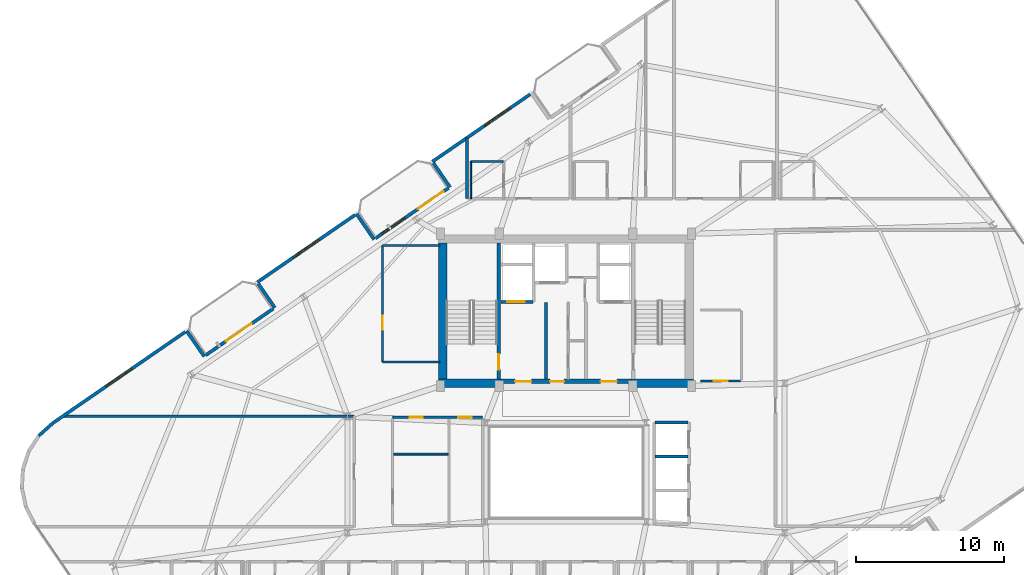
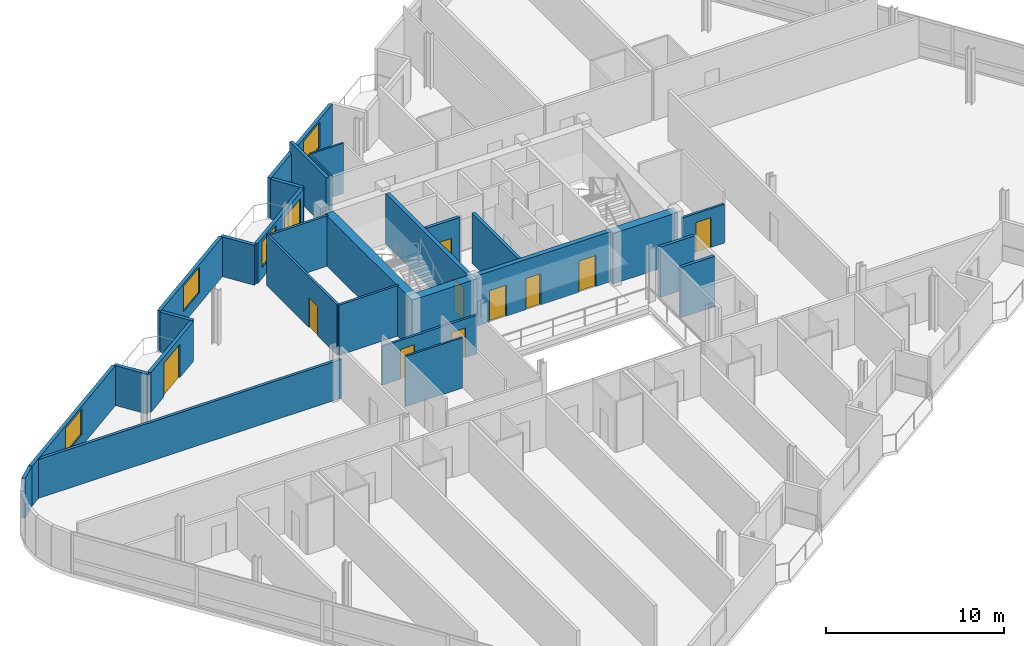
# One storey, part 16 of 22: 29 walls, 11 doors, 4 windows, 15 openings.
"""IFC4 building model written with IfcOpenShell, lengths in metres."""

from ifc_helpers import new_model, si_unit, direction, frame, frame_2d, origin, place, context, subcontext, project, spatial, rectangle, extrude, material, layer, layer_set, type_object, element, fill, save


model = new_model("IFC4")

# Units and contexts
model_context = context("Model", 3, precision=1e-05, world=origin(), true_north=direction((0.0, 1.0)))
body_context = subcontext(model_context, "Body", "Model", "MODEL_VIEW")
ifc_project = project(units=[si_unit("LENGTHUNIT", "METRE"), si_unit("AREAUNIT", "SQUARE_METRE"), si_unit("VOLUMEUNIT", "CUBIC_METRE"), si_unit("PLANEANGLEUNIT", "RADIAN"), si_unit("MASSUNIT", "GRAM", prefix="KILO")], contexts=[model_context])

# Site, building, storey
site_placement = place(None, origin())
site = spatial("IfcSite", under=ifc_project, at=site_placement, CompositionType="ELEMENT")
building_placement = place(site_placement, origin())
building = spatial("IfcBuilding", under=site, at=building_placement, Name="Varnelok Gate Tower", CompositionType="ELEMENT")
storey_placement = place(building_placement, frame((0.0, 0.0, 280.39990234375)))
storey = spatial("IfcBuildingStorey", under=building, at=storey_placement, Name="L72", CompositionType="ELEMENT", Elevation=280.39990234375)

# Wall, opening, door
ifc_material_1 = material(Name="Concrete C45/55", Category="concrete")
ifc_layer_1 = layer(ifc_material_1, 0.219970703125)
ifc_layer_set_1 = layer_set([ifc_layer_1], Name="Concrete C45/55")
wall_type_1 = type_object("IfcWallType", Name="EW-BALC-220", PredefinedType="SOLIDWALL", material=ifc_layer_set_1)
wall_1_placement = place(storey_placement, frame((14.794921875, 30.81982421875, 0.0), z_axis=(0.0, 0.0, 1.0), x_axis=(0.823541290762, 0.567256328665, 0.0)))
wall_1 = element("IfcWall", 1, at=wall_1_placement, inside=storey, type_object=wall_type_1, Name="L72 North Terrace Envelope Wall 4", PredefinedType="SOLIDWALL", context=body_context, shape_type="SweptSolid", body=[
    extrude(rectangle(XDim=5.567138671875, YDim=0.219970703125, at=frame_2d((2.78369140625, 0.0))), origin(), (0.0, 0.0, 1.0), 2.72998046875),
])
opening_1_placement = place(wall_1_placement, frame((1.68017578125, 0.0, 0.0)))
opening_1 = element("IfcOpeningElement", 2, at=opening_1_placement, cuts=wall_1, Name="Opening BD-2", PredefinedType="OPENING", context=body_context, shape_type="SweptSolid", body=[
    extrude(rectangle(XDim=2.10009765625, YDim=2.300048828125, at=frame_2d((1.050048828125, 1.14990234375))), frame((0.0, 0.119873046875, 0.0), z_axis=(0.0, -1.0, 0.0), x_axis=(1.0, 0.0, 0.0)), (0.0, 0.0, 1.0), 0.239990234375),
])
ifc_material_2 = material(Name="Anodized Aluminum Alloy 6063-T6", Category="aluminium")
door_type_1 = type_object("IfcDoorType", Name="DR-EXT-SLID2100", OperationType="SLIDING_TO_LEFT", PredefinedType="DOOR", material=ifc_material_2)
door_1_placement = place(opening_1_placement, origin())
door_1 = element("IfcDoor", 3, at=door_1_placement, inside=storey, type_object=door_type_1, Name="L72 North Balcony Glazed Door 4", OperationType="SLIDING_TO_LEFT", OverallHeight=2.300048828125, OverallWidth=2.10009765625, PredefinedType="DOOR", context=body_context, shape_type="SweptSolid", body=[
    extrude(rectangle(XDim=2.10009765625, YDim=2.300048828125, at=frame_2d((1.050048828125, 1.14990234375))), frame((0.0, 0.02490234375, 0.0), z_axis=(0.0, -1.0, 0.0), x_axis=(1.0, 0.0, 0.0)), (0.0, 0.0, 1.0), 0.050048828125),
])
fill(opening_1, door_1)

# Wall, openings, door, window
wall_2_placement = place(storey_placement, frame((26.29736328125, 38.742919921875, 0.0), z_axis=(0.0, 0.0, 1.0), x_axis=(0.823534636215, 0.567265989598, 0.0)))
wall_2 = element("IfcWall", 4, at=wall_2_placement, inside=storey, type_object=wall_type_1, Name="L72 North Terrace Envelope Wall 5", PredefinedType="SOLIDWALL", context=body_context, shape_type="SweptSolid", body=[
    extrude(rectangle(XDim=6.0, YDim=0.219970703125, at=frame_2d((3.0, 0.0))), origin(), (0.0, 0.0, 1.0), 2.72998046875),
])
opening_2_placement = place(wall_2_placement, frame((3.5, 0.0, 0.0)))
opening_2 = element("IfcOpeningElement", 5, at=opening_2_placement, cuts=wall_2, Name="Opening BD-2", PredefinedType="OPENING", context=body_context, shape_type="SweptSolid", body=[
    extrude(rectangle(XDim=2.10009765625, YDim=2.300048828125, at=frame_2d((1.050048828125, 1.14990234375))), frame((0.0, 0.119873046875, 0.0), z_axis=(0.0, -1.0, 0.0), x_axis=(1.0, 0.0, 0.0)), (0.0, 0.0, 1.0), 0.239990234375),
])
opening_3_placement = place(wall_2_placement, frame((0.550048828125, 0.0, 0.75)))
opening_3 = element("IfcOpeningElement", 6, at=opening_3_placement, cuts=wall_2, Name="Opening WN5", PredefinedType="OPENING", context=body_context, shape_type="SweptSolid", body=[
    extrude(rectangle(XDim=1.85009765625, YDim=1.75, at=frame_2d((0.925048828125, 0.875))), frame((0.0, 0.119873046875, 0.0), z_axis=(0.0, -1.0, 0.0), x_axis=(1.0, 0.0, 0.0)), (0.0, 0.0, 1.0), 0.239990234375),
])
door_2_placement = place(opening_2_placement, origin())
door_2 = element("IfcDoor", 7, at=door_2_placement, inside=storey, type_object=door_type_1, Name="L72 North Balcony Glazed Door 5", OperationType="SLIDING_TO_LEFT", OverallHeight=2.300048828125, OverallWidth=2.10009765625, PredefinedType="DOOR", context=body_context, shape_type="SweptSolid", body=[
    extrude(rectangle(XDim=2.10009765625, YDim=2.300048828125, at=frame_2d((1.050048828125, 1.14990234375))), frame((0.0, 0.02490234375, 0.0), z_axis=(0.0, -1.0, 0.0), x_axis=(1.0, 0.0, 0.0)), (0.0, 0.0, 1.0), 0.050048828125),
])
fill(opening_2, door_2)
ifc_material_3 = material(Name="Low-E Laminated Double Glazing IGU", Category="glass")
window_type_1 = type_object("IfcWindowType", Name="WN-RES-1850", PartitioningType="SINGLE_PANEL", PredefinedType="WINDOW", material=ifc_material_3)
window_1_placement = place(opening_3_placement, origin())
window_1 = element("IfcWindow", 8, at=window_1_placement, inside=storey, type_object=window_type_1, Name="L72 North Vision Window 5.1", OverallHeight=1.75, OverallWidth=1.85009765625, PartitioningType="SINGLE_PANEL", PredefinedType="WINDOW", context=body_context, shape_type="SweptSolid", body=[
    extrude(rectangle(XDim=1.85009765625, YDim=1.75, at=frame_2d((0.925048828125, 0.875))), frame((0.0, 0.030029296875, 0.0), z_axis=(0.0, -1.0, 0.0), x_axis=(1.0, 0.0, 0.0)), (0.0, 0.0, 1.0), 0.06005859375),
])
fill(opening_3, window_1)

# Wall, opening, window
wall_3_placement = place(storey_placement, frame((36.768798828125, 48.493896484375, 0.0), z_axis=(0.0, 0.0, 1.0), x_axis=(-0.823521165086, -0.56728554596, 0.0)))
wall_3 = element("IfcWall", 9, at=wall_3_placement, inside=storey, type_object=wall_type_1, Name="L72 Perimeter Facade Closure Wall 32", PredefinedType="SOLIDWALL", context=body_context, shape_type="SweptSolid", body=[
    extrude(rectangle(XDim=8.034912109375, YDim=0.219970703125, at=frame_2d((4.017578125, 0.0))), origin(), (0.0, 0.0, 1.0), 2.72998046875),
])
opening_4_placement = place(wall_3_placement, frame((1.661865234375, 0.0, 0.800048828125)))
opening_4 = element("IfcOpeningElement", 10, at=opening_4_placement, cuts=wall_3, Name="Opening WN4", PredefinedType="OPENING", context=body_context, shape_type="SweptSolid", body=[
    extrude(rectangle(XDim=2.10009765625, YDim=1.75, at=frame_2d((1.050048828125, 0.875))), frame((0.0, 0.119873046875, 0.0), z_axis=(0.0, -1.0, 0.0), x_axis=(1.0, 0.0, 0.0)), (0.0, 0.0, 1.0), 0.239990234375),
])
window_type_2 = type_object("IfcWindowType", Name="WN-SUI-2100", PartitioningType="SINGLE_PANEL", PredefinedType="WINDOW", material=ifc_material_3)
window_2_placement = place(opening_4_placement, origin())
window_2 = element("IfcWindow", 11, at=window_2_placement, inside=storey, type_object=window_type_2, Name="L72 Perimeter Vision Window 32", OverallHeight=1.75, OverallWidth=2.10009765625, PartitioningType="SINGLE_PANEL", PredefinedType="WINDOW", context=body_context, shape_type="SweptSolid", body=[
    extrude(rectangle(XDim=2.10009765625, YDim=1.75, at=frame_2d((1.050048828125, 0.875))), frame((0.0, 0.030029296875, 0.0), z_axis=(0.0, -1.0, 0.0), x_axis=(1.0, 0.0, 0.0)), (0.0, 0.0, 1.0), 0.06005859375),
])
fill(opening_4, window_2)

# Walls
wall_4_placement = place(storey_placement, frame((30.22265625, 43.8330078125, 0.0), z_axis=(0.0, 0.0, 1.0), x_axis=(0.567215821234, -0.823569190865, 0.0)))
element("IfcWall", 12, at=wall_4_placement, inside=storey, type_object=wall_type_1, Name="L72 Perimeter Facade Closure Wall 33", PredefinedType="SOLIDWALL", context=body_context, shape_type="SweptSolid", body=[
    extrude(rectangle(XDim=1.97509765625, YDim=0.219970703125, at=frame_2d((0.987548828125, 0.0))), origin(), (0.0, 0.0, 1.0), 2.72998046875),
])
wall_5_placement = place(storey_placement, frame((26.2041015625, 38.66650390625, 0.0), z_axis=(0.0, 0.0, 1.0), x_axis=(-0.567219383419, 0.823566737474, 0.0)))
element("IfcWall", 13, at=wall_5_placement, inside=storey, type_object=wall_type_1, Name="L72 Perimeter Facade Closure Wall 34", PredefinedType="SOLIDWALL", context=body_context, shape_type="SweptSolid", body=[
    extrude(rectangle(XDim=2.10009765625, YDim=0.219970703125, at=frame_2d((1.050048828125, 0.0))), origin(), (0.0, 0.0, 1.0), 2.72998046875),
])

# Wall, opening, window
wall_6_placement = place(storey_placement, frame((24.909912109375, 40.3251953125, 0.0), z_axis=(0.0, 0.0, 1.0), x_axis=(-0.823521165086, -0.56728554596, 0.0)))
wall_6 = element("IfcWall", 14, at=wall_6_placement, inside=storey, type_object=wall_type_1, Name="L72 Perimeter Facade Closure Wall 35", PredefinedType="SOLIDWALL", context=body_context, shape_type="SweptSolid", body=[
    extrude(rectangle(XDim=8.034912109375, YDim=0.219970703125, at=frame_2d((4.017578125, 0.0))), origin(), (0.0, 0.0, 1.0), 2.72998046875),
])
opening_5_placement = place(wall_6_placement, frame((2.967529296875, 0.0, 0.800048828125)))
opening_5 = element("IfcOpeningElement", 15, at=opening_5_placement, cuts=wall_6, Name="Opening WN4", PredefinedType="OPENING", context=body_context, shape_type="SweptSolid", body=[
    extrude(rectangle(XDim=2.10009765625, YDim=1.75, at=frame_2d((1.050048828125, 0.875))), frame((0.0, 0.119873046875, 0.0), z_axis=(0.0, -1.0, 0.0), x_axis=(1.0, 0.0, 0.0)), (0.0, 0.0, 1.0), 0.239990234375),
])
window_3_placement = place(opening_5_placement, origin())
window_3 = element("IfcWindow", 16, at=window_3_placement, inside=storey, type_object=window_type_2, Name="L72 Perimeter Vision Window 35", OverallHeight=1.75, OverallWidth=2.10009765625, PartitioningType="SINGLE_PANEL", PredefinedType="WINDOW", context=body_context, shape_type="SweptSolid", body=[
    extrude(rectangle(XDim=2.10009765625, YDim=1.75, at=frame_2d((1.050048828125, 0.875))), frame((0.0, 0.030029296875, 0.0), z_axis=(0.0, -1.0, 0.0), x_axis=(1.0, 0.0, 0.0)), (0.0, 0.0, 1.0), 0.06005859375),
])
fill(opening_5, window_3)

# Walls
wall_7_placement = place(storey_placement, frame((18.36376953125, 35.664306640625, 0.0), z_axis=(0.0, 0.0, 1.0), x_axis=(0.567215821234, -0.823569190865, 0.0)))
element("IfcWall", 17, at=wall_7_placement, inside=storey, type_object=wall_type_1, Name="L72 Perimeter Facade Closure Wall 36", PredefinedType="SOLIDWALL", context=body_context, shape_type="SweptSolid", body=[
    extrude(rectangle(XDim=1.97509765625, YDim=0.219970703125, at=frame_2d((0.987548828125, 0.0))), origin(), (0.0, 0.0, 1.0), 2.72998046875),
])
wall_8_placement = place(storey_placement, frame((14.701904296875, 30.74365234375, 0.0), z_axis=(0.0, 0.0, 1.0), x_axis=(-0.567352541689, 0.823475010816, 0.0)))
element("IfcWall", 18, at=wall_8_placement, inside=storey, type_object=wall_type_1, Name="L72 Perimeter Facade Closure Wall 37", PredefinedType="SOLIDWALL", context=body_context, shape_type="SweptSolid", body=[
    extrude(rectangle(XDim=2.099853515625, YDim=0.219970703125, at=frame_2d((1.0498046875, 0.0))), origin(), (0.0, 0.0, 1.0), 2.72998046875),
])

# Wall, opening, window
wall_9_placement = place(storey_placement, frame((13.40771484375, 32.402099609375, 0.0), z_axis=(0.0, 0.0, 1.0), x_axis=(-0.823527634633, -0.567276154087, 0.0)))
wall_9 = element("IfcWall", 19, at=wall_9_placement, inside=storey, type_object=wall_type_1, Name="L72 Perimeter Facade Closure Wall 38", PredefinedType="SOLIDWALL", context=body_context, shape_type="SweptSolid", body=[
    extrude(rectangle(XDim=10.88037109375, YDim=0.219970703125, at=frame_2d((5.440185546875, 0.0))), origin(), (0.0, 0.0, 1.0), 2.72998046875),
])
opening_6_placement = place(wall_9_placement, frame((4.39013671875, 0.0, 0.800048828125)))
opening_6 = element("IfcOpeningElement", 20, at=opening_6_placement, cuts=wall_9, Name="Opening WN4", PredefinedType="OPENING", context=body_context, shape_type="SweptSolid", body=[
    extrude(rectangle(XDim=2.10009765625, YDim=1.75, at=frame_2d((1.050048828125, 0.875))), frame((0.0, 0.119873046875, 0.0), z_axis=(0.0, -1.0, 0.0), x_axis=(1.0, 0.0, 0.0)), (0.0, 0.0, 1.0), 0.239990234375),
])
window_4_placement = place(opening_6_placement, origin())
window_4 = element("IfcWindow", 21, at=window_4_placement, inside=storey, type_object=window_type_2, Name="L72 Perimeter Vision Window 38", OverallHeight=1.75, OverallWidth=2.10009765625, PartitioningType="SINGLE_PANEL", PredefinedType="WINDOW", context=body_context, shape_type="SweptSolid", body=[
    extrude(rectangle(XDim=2.10009765625, YDim=1.75, at=frame_2d((1.050048828125, 0.875))), frame((0.0, 0.030029296875, 0.0), z_axis=(0.0, -1.0, 0.0), x_axis=(1.0, 0.0, 0.0)), (0.0, 0.0, 1.0), 0.06005859375),
])
fill(opening_6, window_4)

# Walls
wall_10_placement = place(storey_placement, frame((4.428955078125, 26.21337890625, 0.0), z_axis=(0.0, 0.0, 1.0), x_axis=(-0.742414330744, -0.669941013453, 0.0)))
element("IfcWall", 22, at=wall_10_placement, inside=storey, type_object=wall_type_1, Name="L72 Perimeter Facade Closure Wall 39", PredefinedType="SOLIDWALL", context=body_context, shape_type="SweptSolid", body=[
    extrude(rectangle(XDim=1.256591796875, YDim=0.219970703125, at=frame_2d((0.62841796875, 0.0))), origin(), (0.0, 0.0, 1.0), 2.72998046875),
])
ifc_material_4 = material(Name="Gypsum Plasterboard Acoustic Partition", Category="gypsum")
ifc_layer_2 = layer(ifc_material_4, 0.179931640625)
ifc_layer_set_2 = layer_set([ifc_layer_2], Name="Gypsum Plasterboard Acoustic Partition")
wall_type_2 = type_object("IfcWallType", Name="PW-CORR-180", PredefinedType="PARTITIONING", material=ifc_layer_set_2)
wall_11_placement = place(storey_placement, frame((5.164794921875, 26.699951171875, 0.0), z_axis=(0.0, 0.0, 1.0), x_axis=(1.0, 0.0, 0.0)))
element("IfcWall", 23, at=wall_11_placement, inside=storey, type_object=wall_type_2, Name="Interior Partition", PredefinedType="PARTITIONING", context=body_context, shape_type="SweptSolid", body=[
    extrude(rectangle(XDim=19.685302734375, YDim=0.179931640625, at=frame_2d((9.8427734375, 0.0))), origin(), (0.0, 0.0, 1.0), 2.662109375),
])
ifc_layer_3 = layer(ifc_material_4, 0.114990234375)
ifc_layer_set_3 = layer_set([ifc_layer_3], Name="Gypsum Plasterboard Acoustic Partition")
wall_type_3 = type_object("IfcWallType", Name="PW-ENS-125", PredefinedType="PARTITIONING", material=ifc_layer_set_3)
wall_12_placement = place(storey_placement, frame((32.800048828125, 43.949951171875, 0.0), z_axis=(0.0, 0.0, 1.0), x_axis=(1.0, 0.0, 0.0)))
element("IfcWall", 24, at=wall_12_placement, inside=storey, type_object=wall_type_3, Name="Interior Partition", PredefinedType="PARTITIONING", context=body_context, shape_type="SweptSolid", body=[
    extrude(rectangle(XDim=2.14990234375, YDim=0.114990234375, at=frame_2d((1.074951171875, 0.0))), origin(), (0.0, 0.0, 1.0), 3.4501953125),
])
wall_13_placement = place(storey_placement, frame((32.760009765625, 41.429931640625, 0.0), z_axis=(0.0, 0.0, 1.0), x_axis=(0.0, 1.0, 0.0)))
element("IfcWall", 25, at=wall_13_placement, inside=storey, type_object=wall_type_3, Name="Interior Partition", PredefinedType="PARTITIONING", context=body_context, shape_type="SweptSolid", body=[
    extrude(rectangle(XDim=2.52001953125, YDim=0.114990234375, at=frame_2d((1.260009765625, 0.0))), origin(), (0.0, 0.0, 1.0), 3.4501953125),
])
ifc_layer_4 = layer(ifc_material_4, 0.125)
ifc_layer_set_4 = layer_set([ifc_layer_4], Name="Gypsum Plasterboard Acoustic Partition")
wall_type_4 = type_object("IfcWallType", Name="PW-PART-125", PredefinedType="PARTITIONING", material=ifc_layer_set_4)
wall_14_placement = place(storey_placement, frame((27.52001953125, 24.1298828125, 0.0), z_axis=(0.0, 0.0, 1.0), x_axis=(1.0, 0.0, 0.0)))
element("IfcWall", 26, at=wall_14_placement, inside=storey, type_object=wall_type_4, Name="Interior Partition", PredefinedType="PARTITIONING", context=body_context, shape_type="SweptSolid", body=[
    extrude(rectangle(XDim=3.699951171875, YDim=0.125, at=frame_2d((1.85009765625, 0.0))), origin(), (0.0, 0.0, 1.0), 3.4501953125),
])

# Wall, openings, doors
ifc_layer_5 = layer(ifc_material_4, 0.14990234375)
ifc_layer_set_5 = layer_set([ifc_layer_5], Name="Gypsum Plasterboard Acoustic Partition")
wall_type_5 = type_object("IfcWallType", Name="PW-PART-150", PredefinedType="PARTITIONING", material=ifc_layer_set_5)
wall_15_placement = place(storey_placement, frame((27.4599609375, 26.6201171875, 0.0), z_axis=(0.0, 0.0, 1.0), x_axis=(1.0, 0.0, 0.0)))
wall_15 = element("IfcWall", 27, at=wall_15_placement, inside=storey, type_object=wall_type_5, Name="Interior Partition", PredefinedType="PARTITIONING", context=body_context, shape_type="SweptSolid", body=[
    extrude(rectangle(XDim=6.10009765625, YDim=0.14990234375, at=frame_2d((3.050048828125, 0.0))), origin(), (0.0, 0.0, 1.0), 2.662109375),
])
opening_7_placement = place(wall_15_placement, frame((1.14990234375, 0.0, 0.0)))
opening_7 = element("IfcOpeningElement", 28, at=opening_7_placement, cuts=wall_15, Name="Opening D-WC", PredefinedType="OPENING", context=body_context, shape_type="SweptSolid", body=[
    extrude(rectangle(XDim=0.89990234375, YDim=2.050048828125, at=frame_2d((0.449951171875, 1.02490234375))), frame((0.0, 0.0849609375, 0.0), z_axis=(0.0, -1.0, 0.0), x_axis=(1.0, 0.0, 0.0)), (0.0, 0.0, 1.0), 0.169921875),
])
opening_8_placement = place(wall_15_placement, frame((4.449951171875, 0.0, 0.0)))
opening_8 = element("IfcOpeningElement", 29, at=opening_8_placement, cuts=wall_15, Name="Opening D-I3", PredefinedType="OPENING", context=body_context, shape_type="SweptSolid", body=[
    extrude(rectangle(XDim=0.919921875, YDim=2.050048828125, at=frame_2d((0.4599609375, 1.02490234375))), frame((0.0, 0.0849609375, 0.0), z_axis=(0.0, -1.0, 0.0), x_axis=(1.0, 0.0, 0.0)), (0.0, 0.0, 1.0), 0.169921875),
])
ifc_material_5 = material(Name="Engineered Hardwood Timber", Category="wood")
door_type_2 = type_object("IfcDoorType", Name="DR-BATH-900", OperationType="NOTDEFINED", PredefinedType="DOOR", material=ifc_material_5)
door_3_placement = place(opening_7_placement, origin())
door_3 = element("IfcDoor", 30, at=door_3_placement, inside=storey, type_object=door_type_2, Name="L72 Accessible Floor WC Door", OperationType="SINGLE_SWING_LEFT", OverallHeight=2.050048828125, OverallWidth=0.89990234375, PredefinedType="DOOR", context=body_context, shape_type="SweptSolid", body=[
    extrude(rectangle(XDim=0.89990234375, YDim=2.050048828125, at=frame_2d((0.449951171875, 1.02490234375))), frame((0.0, 0.02490234375, 0.0), z_axis=(0.0, -1.0, 0.0), x_axis=(1.0, 0.0, 0.0)), (0.0, 0.0, 1.0), 0.050048828125),
])
fill(opening_7, door_3)
door_type_3 = type_object("IfcDoorType", Name="DR-INT-920", OperationType="NOTDEFINED", PredefinedType="DOOR", material=ifc_material_5)
door_4_placement = place(opening_8_placement, origin())
door_4 = element("IfcDoor", 31, at=door_4_placement, inside=storey, type_object=door_type_3, Name="L72 Valet Pantry Door", OperationType="SINGLE_SWING_RIGHT", OverallHeight=2.050048828125, OverallWidth=0.919921875, PredefinedType="DOOR", context=body_context, shape_type="SweptSolid", body=[
    extrude(rectangle(XDim=0.919921875, YDim=2.050048828125, at=frame_2d((0.4599609375, 1.02490234375))), frame((0.0, 0.02490234375, 0.0), z_axis=(0.0, -1.0, 0.0), x_axis=(1.0, 0.0, 0.0)), (0.0, 0.0, 1.0), 0.050048828125),
])
fill(opening_8, door_4)

# Walls
for number, where, z_axis, x_axis, name in (
    (32, (26.780029296875, 30.360107421875, 0.0), (0.0, 0.0, 1.0), (1.0, 0.0, 0.0), "Interior Partition"),
    (33, (26.780029296875, 38.260009765625, 0.0), (0.0, 0.0, 1.0), (1.0, 0.0, 0.0), "Interior Partition"),
):
    element("IfcWall", number, at=place(storey_placement, frame(where, z_axis=z_axis, x_axis=x_axis)), inside=storey, type_object=wall_type_5, Name=name, PredefinedType="PARTITIONING", context=body_context, shape_type="SweptSolid", body=[
        extrude(rectangle(XDim=3.89990234375, YDim=0.14990234375, at=frame_2d((1.949951171875, 0.0))), origin(), (0.0, 0.0, 1.0), 3.4501953125),
    ])

# Wall, opening, door
wall_16_placement = place(storey_placement, frame((26.780029296875, 30.360107421875, 0.0), z_axis=(0.0, 0.0, 1.0), x_axis=(0.0, 1.0, 0.0)))
wall_16 = element("IfcWall", 34, at=wall_16_placement, inside=storey, type_object=wall_type_5, Name="Interior Partition", PredefinedType="PARTITIONING", context=body_context, shape_type="SweptSolid", body=[
    extrude(rectangle(XDim=7.89990234375, YDim=0.14990234375, at=frame_2d((3.949951171875, 0.0))), origin(), (0.0, 0.0, 1.0), 3.4501953125),
])
opening_9_placement = place(wall_16_placement, frame((2.199951171875, 0.0, 0.0)))
opening_9 = element("IfcOpeningElement", 35, at=opening_9_placement, cuts=wall_16, Name="Opening D-I2", PredefinedType="OPENING", context=body_context, shape_type="SweptSolid", body=[
    extrude(rectangle(XDim=0.949951171875, YDim=2.050048828125, at=frame_2d((0.47509765625, 1.02490234375))), frame((0.0, 0.0849609375, 0.0), z_axis=(0.0, -1.0, 0.0), x_axis=(1.0, 0.0, 0.0)), (0.0, 0.0, 1.0), 0.169921875),
])
door_type_4 = type_object("IfcDoorType", Name="DR-INT-950", OperationType="NOTDEFINED", PredefinedType="DOOR", material=ifc_material_5)
door_5_placement = place(opening_9_placement, origin())
door_5 = element("IfcDoor", 36, at=door_5_placement, inside=storey, type_object=door_type_4, Name="L72 Core Valet Door", OperationType="SINGLE_SWING_RIGHT", OverallHeight=2.050048828125, OverallWidth=0.949951171875, PredefinedType="DOOR", context=body_context, shape_type="SweptSolid", body=[
    extrude(rectangle(XDim=0.949951171875, YDim=2.050048828125, at=frame_2d((0.47509765625, 1.02490234375))), frame((0.0, 0.02490234375, 0.0), z_axis=(0.0, -1.0, 0.0), x_axis=(1.0, 0.0, 0.0)), (0.0, 0.0, 1.0), 0.050048828125),
])
fill(opening_9, door_5)

wall_17_placement = place(storey_placement, frame((48.300048828125, 29.080078125, 0.0), z_axis=(0.0, 0.0, 1.0), x_axis=(1.0, 0.0, 0.0)))
wall_17 = element("IfcWall", 37, at=wall_17_placement, inside=storey, type_object=wall_type_5, Name="Interior Partition", PredefinedType="PARTITIONING", context=body_context, shape_type="SweptSolid", body=[
    extrude(rectangle(XDim=2.719970703125, YDim=0.14990234375, at=frame_2d((1.35986328125, 0.0))), origin(), (0.0, 0.0, 1.0), 2.662109375),
])
opening_10_placement = place(wall_17_placement, frame((0.89990234375, 0.0, 0.0)))
opening_10 = element("IfcOpeningElement", 38, at=opening_10_placement, cuts=wall_17, Name="Opening D-I2", PredefinedType="OPENING", context=body_context, shape_type="SweptSolid", body=[
    extrude(rectangle(XDim=0.949951171875, YDim=2.050048828125, at=frame_2d((0.47509765625, 1.02490234375))), frame((0.0, 0.0849609375, 0.0), z_axis=(0.0, -1.0, 0.0), x_axis=(1.0, 0.0, 0.0)), (0.0, 0.0, 1.0), 0.169921875),
])
door_6_placement = place(opening_10_placement, origin())
door_6 = element("IfcDoor", 39, at=door_6_placement, inside=storey, type_object=door_type_4, Name="L72 Reclaimed Trunk Store Door", OperationType="SINGLE_SWING_LEFT", OverallHeight=2.050048828125, OverallWidth=0.949951171875, PredefinedType="DOOR", context=body_context, shape_type="SweptSolid", body=[
    extrude(rectangle(XDim=0.949951171875, YDim=2.050048828125, at=frame_2d((0.47509765625, 1.02490234375))), frame((0.0, 0.02490234375, 0.0), z_axis=(0.0, -1.0, 0.0), x_axis=(1.0, 0.0, 0.0)), (0.0, 0.0, 1.0), 0.050048828125),
])
fill(opening_10, door_6)

# Walls
ifc_layer_6 = layer(ifc_material_4, 0.205078125)
ifc_layer_set_6 = layer_set([ifc_layer_6], Name="Gypsum Plasterboard Acoustic Partition")
wall_type_6 = type_object("IfcWallType", Name="PW-PARTY-200", PredefinedType="PARTITIONING", material=ifc_layer_set_6)
wall_18_placement = place(storey_placement, frame((32.5, 41.429931640625, 0.0), z_axis=(0.0, 0.0, 1.0), x_axis=(0.0, 1.0, 0.0)))
element("IfcWall", 40, at=wall_18_placement, inside=storey, type_object=wall_type_6, Name="L72 North Party Wall 1", PredefinedType="PARTITIONING", context=body_context, shape_type="SweptSolid", body=[
    extrude(rectangle(XDim=4.09912109375, YDim=0.205078125, at=frame_2d((2.049560546875, 0.0))), origin(), (0.0, 0.0, 1.0), 3.4501953125),
])
ifc_material_6 = material(Name="Concrete C35/45", Category="concrete")
ifc_layer_7 = layer(ifc_material_6, 0.199951171875)
ifc_layer_set_7 = layer_set([ifc_layer_7], Name="Concrete C35/45")
wall_type_7 = type_object("IfcWallType", Name="PW-SHAFT-200", PredefinedType="PARTITIONING", material=ifc_layer_set_7)
wall_19_placement = place(storey_placement, frame((37.860107421875, 29.199951171875, 0.0), z_axis=(0.0, 0.0, 1.0), x_axis=(0.0, 1.0, 0.0)))
element("IfcWall", 41, at=wall_19_placement, inside=storey, type_object=wall_type_7, Name="L72 West FF Lobby Rated Wall", PredefinedType="PARTITIONING", context=body_context, shape_type="SweptSolid", body=[
    extrude(rectangle(XDim=5.179931640625, YDim=0.199951171875, at=frame_2d((2.58984375, 0.0))), origin(), (0.0, 0.0, 1.0), 3.4501953125),
])

# Wall, opening, door
wall_20_placement = place(storey_placement, frame((34.800048828125, 34.43994140625, 0.0), z_axis=(0.0, 0.0, 1.0), x_axis=(1.0, 0.0, 0.0)))
wall_20 = element("IfcWall", 42, at=wall_20_placement, inside=storey, type_object=wall_type_7, Name="L72 FF1 Shaft Front Wall", PredefinedType="PARTITIONING", context=body_context, shape_type="SweptSolid", body=[
    extrude(rectangle(XDim=2.179931640625, YDim=0.199951171875, at=frame_2d((1.08984375, 0.0))), origin(), (0.0, 0.0, 1.0), 3.4501953125),
])
opening_11_placement = place(wall_20_placement, frame((0.419921875, 0.0, 0.0)))
opening_11 = element("IfcOpeningElement", 43, at=opening_11_placement, cuts=wall_20, Name="Opening LD-FF1", PredefinedType="OPENING", context=body_context, shape_type="SweptSolid", body=[
    extrude(rectangle(XDim=1.199951171875, YDim=2.199951171875, at=frame_2d((0.60009765625, 1.10009765625))), frame((0.0, 0.10986328125, 0.0), z_axis=(0.0, -1.0, 0.0), x_axis=(1.0, 0.0, 0.0)), (0.0, 0.0, 1.0), 0.219970703125),
])
ifc_material_7 = material(Name="Galvanized Steel Grade S350GD", Category="steel")
door_type_5 = type_object("IfcDoorType", Name="DR-LIFT-FF1200", OperationType="SLIDING_TO_LEFT", PredefinedType="DOOR", material=ifc_material_7)
door_7_placement = place(opening_11_placement, origin())
door_7 = element("IfcDoor", 44, at=door_7_placement, inside=storey, type_object=door_type_5, Name="L72 Firefighting Lift Landing Door LD-FF1", OperationType="SLIDING_TO_LEFT", OverallHeight=2.199951171875, OverallWidth=1.199951171875, PredefinedType="DOOR", context=body_context, shape_type="SweptSolid", body=[
    extrude(rectangle(XDim=1.199951171875, YDim=2.199951171875, at=frame_2d((0.60009765625, 1.10009765625))), frame((0.0, 0.02490234375, 0.0), z_axis=(0.0, -1.0, 0.0), x_axis=(1.0, 0.0, 0.0)), (0.0, 0.0, 1.0), 0.050048828125),
])
fill(opening_11, door_7)

# Walls
for number, where, z_axis, x_axis, name in (
    (45, (45.239990234375, 23.97509765625, 0.0), (0.0, 0.0, 1.0), (1.0, 0.0, 0.0), "L72 PH2 Divider"),
    (46, (45.239990234375, 26.280029296875, 0.0), (0.0, 0.0, 1.0), (1.0, 0.0, 0.0), "L72 PH Bank North Wall"),
):
    element("IfcWall", number, at=place(storey_placement, frame(where, z_axis=z_axis, x_axis=x_axis)), inside=storey, type_object=wall_type_7, Name=name, PredefinedType="PARTITIONING", context=body_context, shape_type="SweptSolid", body=[
        extrude(rectangle(XDim=2.219970703125, YDim=0.199951171875, at=frame_2d((1.10986328125, 0.0))), origin(), (0.0, 0.0, 1.0), 3.4501953125),
    ])
ifc_material_8 = material(Name="Concrete C60/75", Category="concrete")
ifc_layer_8 = layer(ifc_material_8, 0.550048828125)
ifc_layer_set_8 = layer_set([ifc_layer_8], Name="Concrete C60/75")
wall_type_8 = type_object("IfcWallType", Name="SW-CORE-550", PredefinedType="SHEAR", material=ifc_layer_set_8)
wall_21_placement = place(storey_placement, frame((30.85498046875, 29.199951171875, 0.0), z_axis=(0.0, 0.0, 1.0), x_axis=(0.0, 1.0, 0.0)))
element("IfcWall", 47, at=wall_21_placement, inside=storey, type_object=wall_type_8, Name="L72 Rear Core West Shear Wall", PredefinedType="SHEAR", context=body_context, shape_type="SweptSolid", body=[
    extrude(rectangle(XDim=9.219970703125, YDim=0.550048828125, at=frame_2d((4.60986328125, 0.0))), origin(), (0.0, 0.0, 1.0), 3.4501953125),
])
for number, where, z_axis, x_axis, name in (
    (48, (30.580078125, 28.925048828125, 0.0), (0.0, 0.0, 1.0), (1.0, 0.0, 0.0), "L72 Rear Core South-West Shear Wall"),
    (49, (43.60009765625, 28.925048828125, 0.0), (0.0, 0.0, 1.0), (1.0, 0.0, 0.0), "L72 Rear Core South-East Shear Wall"),
):
    element("IfcWall", number, at=place(storey_placement, frame(where, z_axis=z_axis, x_axis=x_axis)), inside=storey, type_object=wall_type_8, Name=name, PredefinedType="SHEAR", context=body_context, shape_type="SweptSolid", body=[
        extrude(rectangle(XDim=4.219970703125, YDim=0.550048828125, at=frame_2d((2.10986328125, 0.0))), origin(), (0.0, 0.0, 1.0), 3.4501953125),
    ])

# Wall, opening, door
ifc_layer_9 = layer(ifc_material_8, 0.25)
ifc_layer_set_9 = layer_set([ifc_layer_9], Name="Concrete C60/75")
wall_type_9 = type_object("IfcWallType", Name="SW-SHAFT-250", PredefinedType="SHEAR", material=ifc_layer_set_9)
wall_22_placement = place(storey_placement, frame((34.639892578125, 29.199951171875, 0.0), z_axis=(0.0, 0.0, 1.0), x_axis=(0.0, 1.0, 0.0)))
wall_22 = element("IfcWall", 50, at=wall_22_placement, inside=storey, type_object=wall_type_9, Name="L72 Stair ST-1 East Shear Wall", PredefinedType="SHEAR", context=body_context, shape_type="SweptSolid", body=[
    extrude(rectangle(XDim=9.219970703125, YDim=0.25, at=frame_2d((4.60986328125, 0.0))), origin(), (0.0, 0.0, 1.0), 3.4501953125),
])
opening_12_placement = place(wall_22_placement, frame((0.64990234375, 0.0, 0.0)))
opening_12 = element("IfcOpeningElement", 51, at=opening_12_placement, cuts=wall_22, Name="Opening D-ST", PredefinedType="OPENING", context=body_context, shape_type="SweptSolid", body=[
    extrude(rectangle(XDim=1.050048828125, YDim=2.14990234375, at=frame_2d((0.52490234375, 1.074951171875))), frame((0.0, 0.135009765625, 0.0), z_axis=(0.0, -1.0, 0.0), x_axis=(1.0, 0.0, 0.0)), (0.0, 0.0, 1.0), 0.27001953125),
])
door_type_6 = type_object("IfcDoorType", Name="DR-STAIR-1050", OperationType="NOTDEFINED", PredefinedType="DOOR", material=ifc_material_7)
door_8_placement = place(opening_12_placement, origin())
door_8 = element("IfcDoor", 52, at=door_8_placement, inside=storey, type_object=door_type_6, Name="L72 Exit Stair ST-1 Fire Door", OperationType="SINGLE_SWING_LEFT", OverallHeight=2.14990234375, OverallWidth=1.050048828125, PredefinedType="DOOR", context=body_context, shape_type="SweptSolid", body=[
    extrude(rectangle(XDim=1.050048828125, YDim=2.14990234375, at=frame_2d((0.52490234375, 1.074951171875))), frame((0.0, 0.02490234375, 0.0), z_axis=(0.0, -1.0, 0.0), x_axis=(1.0, 0.0, 0.0)), (0.0, 0.0, 1.0), 0.050048828125),
])
fill(opening_12, door_8)

# Wall, openings, doors
ifc_layer_10 = layer(ifc_material_8, 0.300048828125)
ifc_layer_set_10 = layer_set([ifc_layer_10], Name="Concrete C60/75")
wall_type_10 = type_object("IfcWallType", Name="SW-SHAFT-300", PredefinedType="SHEAR", material=ifc_layer_set_10)
wall_23_placement = place(storey_placement, frame((34.800048828125, 29.050048828125, 0.0), z_axis=(0.0, 0.0, 1.0), x_axis=(1.0, 0.0, 0.0)))
wall_23 = element("IfcWall", 53, at=wall_23_placement, inside=storey, type_object=wall_type_10, Name="L72 Rear Core Central Lobby Shear Wall", PredefinedType="SHEAR", context=body_context, shape_type="SweptSolid", body=[
    extrude(rectangle(XDim=8.800048828125, YDim=0.300048828125, at=frame_2d((4.39990234375, 0.0))), origin(), (0.0, 0.0, 1.0), 3.4501953125),
])
opening_13_placement = place(wall_23_placement, frame((0.949951171875, 0.0, 0.0)))
opening_13 = element("IfcOpeningElement", 54, at=opening_13_placement, cuts=wall_23, Name="Opening D-FF", PredefinedType="OPENING", context=body_context, shape_type="SweptSolid", body=[
    extrude(rectangle(XDim=1.10009765625, YDim=2.14990234375, at=frame_2d((0.550048828125, 1.074951171875))), frame((0.0, 0.159912109375, 0.0), z_axis=(0.0, -1.0, 0.0), x_axis=(1.0, 0.0, 0.0)), (0.0, 0.0, 1.0), 0.320068359375),
])
opening_14_placement = place(wall_23_placement, frame((6.75, 0.0, 0.0)))
opening_14 = element("IfcOpeningElement", 55, at=opening_14_placement, cuts=wall_23, Name="Opening D-FF", PredefinedType="OPENING", context=body_context, shape_type="SweptSolid", body=[
    extrude(rectangle(XDim=1.10009765625, YDim=2.14990234375, at=frame_2d((0.550048828125, 1.074951171875))), frame((0.0, 0.159912109375, 0.0), z_axis=(0.0, -1.0, 0.0), x_axis=(1.0, 0.0, 0.0)), (0.0, 0.0, 1.0), 0.320068359375),
])
opening_15_placement = place(wall_23_placement, frame((3.320068359375, 0.0, 0.0)))
opening_15 = element("IfcOpeningElement", 56, at=opening_15_placement, cuts=wall_23, Name="Opening D-CR", PredefinedType="OPENING", context=body_context, shape_type="SweptSolid", body=[
    extrude(rectangle(XDim=0.949951171875, YDim=2.14990234375, at=frame_2d((0.47509765625, 1.074951171875))), frame((0.0, 0.159912109375, 0.0), z_axis=(0.0, -1.0, 0.0), x_axis=(1.0, 0.0, 0.0)), (0.0, 0.0, 1.0), 0.320068359375),
])
door_type_7 = type_object("IfcDoorType", Name="DR-CORR-950", OperationType="NOTDEFINED", PredefinedType="DOOR", material=ifc_material_7)
door_9_placement = place(opening_15_placement, origin())
door_9 = element("IfcDoor", 57, at=door_9_placement, inside=storey, type_object=door_type_7, Name="L72 Core Service Passage Door", OperationType="SINGLE_SWING_LEFT", OverallHeight=2.14990234375, OverallWidth=0.949951171875, PredefinedType="DOOR", context=body_context, shape_type="SweptSolid", body=[
    extrude(rectangle(XDim=0.949951171875, YDim=2.14990234375, at=frame_2d((0.47509765625, 1.074951171875))), frame((0.0, 0.02490234375, 0.0), z_axis=(0.0, -1.0, 0.0), x_axis=(1.0, 0.0, 0.0)), (0.0, 0.0, 1.0), 0.050048828125),
])
fill(opening_15, door_9)
door_type_8 = type_object("IfcDoorType", Name="DR-FFLOB-1100", OperationType="NOTDEFINED", PredefinedType="DOOR", material=ifc_material_7)
door_10_placement = place(opening_13_placement, origin())
door_10 = element("IfcDoor", 58, at=door_10_placement, inside=storey, type_object=door_type_8, Name="L72 West Firefighting Lobby Fire Door", OperationType="SINGLE_SWING_RIGHT", OverallHeight=2.14990234375, OverallWidth=1.10009765625, PredefinedType="DOOR", context=body_context, shape_type="SweptSolid", body=[
    extrude(rectangle(XDim=1.10009765625, YDim=2.14990234375, at=frame_2d((0.550048828125, 1.074951171875))), frame((0.0, 0.02490234375, 0.0), z_axis=(0.0, -1.0, 0.0), x_axis=(1.0, 0.0, 0.0)), (0.0, 0.0, 1.0), 0.050048828125),
])
fill(opening_13, door_10)
door_11_placement = place(opening_14_placement, origin())
door_11 = element("IfcDoor", 59, at=door_11_placement, inside=storey, type_object=door_type_8, Name="L72 East Firefighting Lobby Fire Door", OperationType="SINGLE_SWING_LEFT", OverallHeight=2.14990234375, OverallWidth=1.10009765625, PredefinedType="DOOR", context=body_context, shape_type="SweptSolid", body=[
    extrude(rectangle(XDim=1.10009765625, YDim=2.14990234375, at=frame_2d((0.550048828125, 1.074951171875))), frame((0.0, 0.02490234375, 0.0), z_axis=(0.0, -1.0, 0.0), x_axis=(1.0, 0.0, 0.0)), (0.0, 0.0, 1.0), 0.050048828125),
])
fill(opening_14, door_11)

save(model, "model.ifc")
